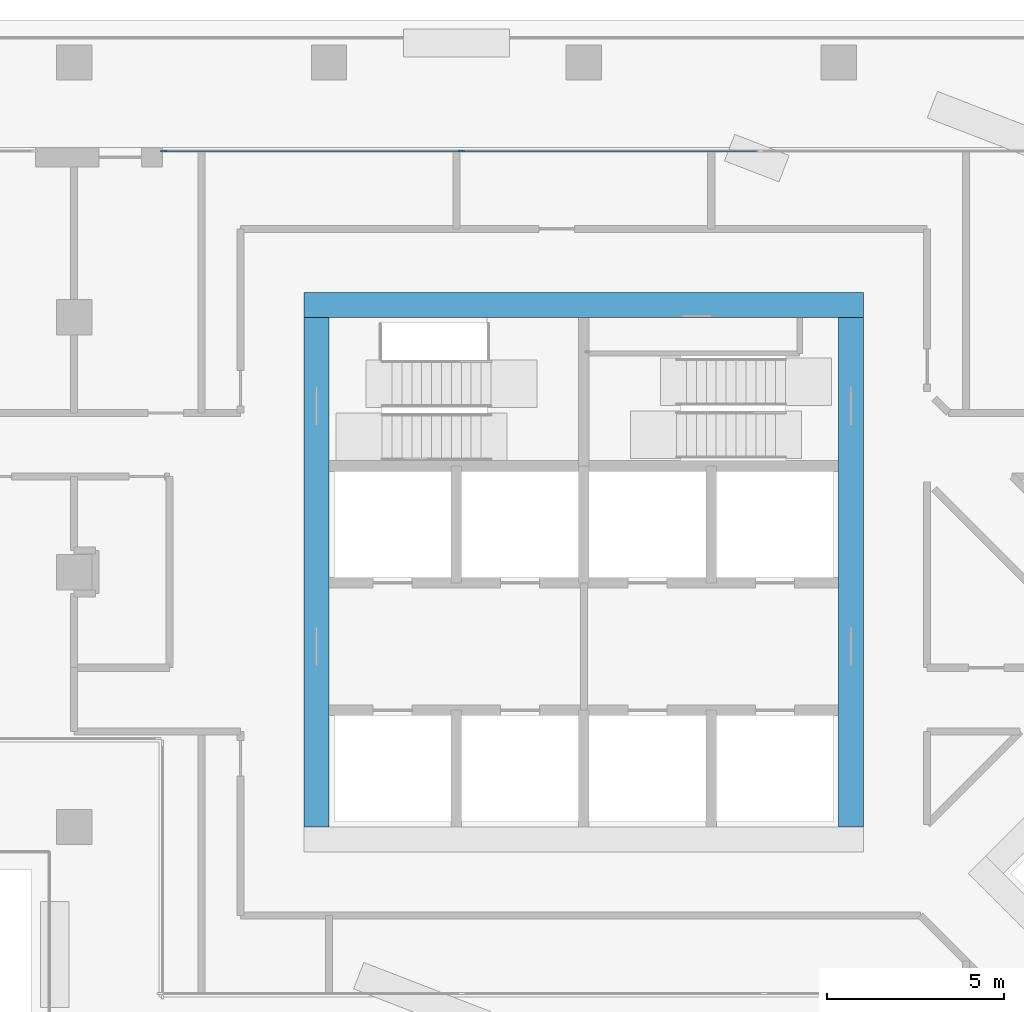
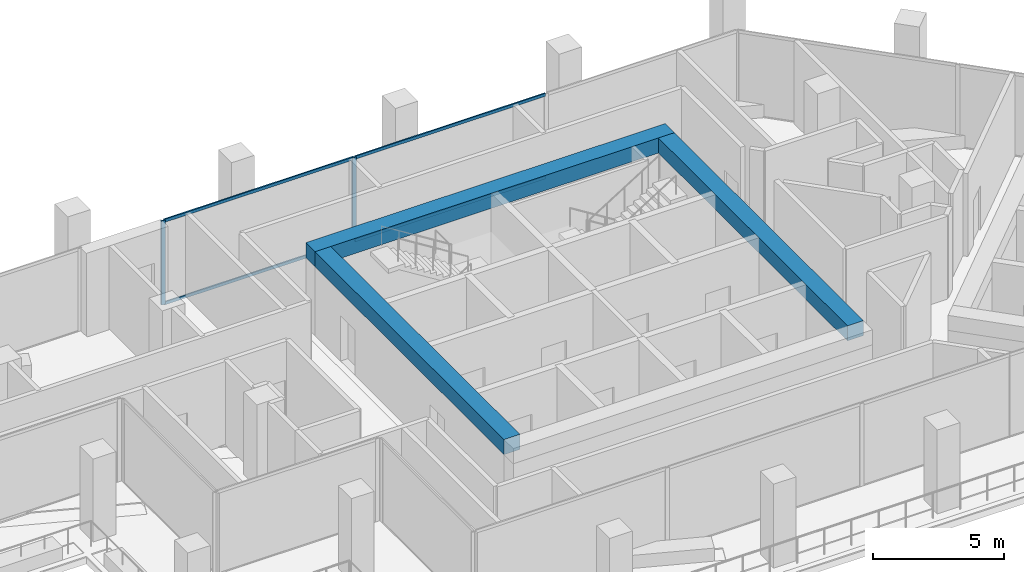
# One storey, part 6 of 21: 6 members, 3 beams, 1 element without a shape of its own.
"""IFC4 building model written with IfcOpenShell, lengths in metres."""

from ifc_helpers import new_model, si_unit, direction, frame, origin, origin_2d, place, context, subcontext, project, spatial, rectangle, extrude, material, material_profile, profile_set, type_object, element, aggregate, save


model = new_model("IFC4")

# Units and contexts
model_context = context("Model", 3, precision=1e-05, world=origin(), true_north=direction((0.0, 1.0)))
body_context = subcontext(model_context, "Body", "Model", "MODEL_VIEW")
ifc_project = project(units=[si_unit("LENGTHUNIT", "METRE"), si_unit("AREAUNIT", "SQUARE_METRE"), si_unit("VOLUMEUNIT", "CUBIC_METRE"), si_unit("PLANEANGLEUNIT", "RADIAN"), si_unit("MASSUNIT", "GRAM", prefix="KILO")], contexts=[model_context])

# Site, building, storey
site_placement = place(None, origin())
site = spatial("IfcSite", under=ifc_project, at=site_placement, CompositionType="ELEMENT")
building_placement = place(site_placement, origin())
building = spatial("IfcBuilding", under=site, at=building_placement, Name="Windrow Commons", CompositionType="ELEMENT")
storey_placement = place(building_placement, frame((0.0, 0.0, 131.2)))
storey = spatial("IfcBuildingStorey", under=building, at=storey_placement, Name="L35", CompositionType="ELEMENT", Elevation=131.2)

# Curtain wall, members
ifc_material_1 = material(Name="Clear laminated glass in Aluminium 6063-T6 anodised frame", Category="aluminium")
curtain_wall_type = type_object("IfcCurtainWallType", Name="Curtain wall CW2M sky lounge mid", PredefinedType="USERDEFINED", material=ifc_material_1)
curtain_wall_placement = place(storey_placement, origin())
curtain_wall = element("IfcCurtainWall", 1, at=curtain_wall_placement, inside=storey, type_object=curtain_wall_type, Name="Curtain wall CW2M L35 4.1", ObjectType="UNITISED", PredefinedType="USERDEFINED")
ifc_material_2 = material(Name="Aluminium 6063-T6", Category="aluminium")
ifc_material_profile_1 = material_profile(ifc_material_2, rectangle(XDim=0.06, YDim=0.18, at=origin_2d()))
ifc_profile_set_1 = profile_set([ifc_material_profile_1], Name="Aluminium 6063-T6")
member_type_1 = type_object("IfcMemberType", Name="CW2M mullion 60x180", PredefinedType="MULLION", material=ifc_profile_set_1)
member_1_placement = place(storey_placement, frame((61.3372, 69.5, 0.0), z_axis=(0.0, 0.0, 1.0), x_axis=(0.0, -1.0, 0.0)))
member_1 = element("IfcMember", 2, at=member_1_placement, type_object=member_type_1, Name="CW2M mullion 3", PredefinedType="MULLION", context=body_context, shape_type="SweptSolid", body=[
    extrude(rectangle(XDim=0.06, YDim=0.18, at=origin_2d()), origin(), (0.0, 0.0, 1.0), 3.9),
])
member_2_placement = place(storey_placement, frame((52.9329, 69.5, 0.0), z_axis=(0.0, 0.0, 1.0), x_axis=(0.0, -1.0, 0.0)))
member_2 = element("IfcMember", 3, at=member_2_placement, type_object=member_type_1, Name="CW2M mullion 4", PredefinedType="MULLION", context=body_context, shape_type="SweptSolid", body=[
    extrude(rectangle(XDim=0.06, YDim=0.18, at=origin_2d()), origin(), (0.0, 0.0, 1.0), 3.9),
])
ifc_material_3 = material(Name="Aluminium 6063-T6", Category="aluminium")
ifc_material_profile_2 = material_profile(ifc_material_3, rectangle(XDim=0.06, YDim=0.14, at=origin_2d()))
ifc_profile_set_2 = profile_set([ifc_material_profile_2], Name="Aluminium 6063-T6")
member_type_2 = type_object("IfcMemberType", Name="CW2M transom 60x140", PredefinedType="USERDEFINED", material=ifc_profile_set_2)
member_3_placement = place(storey_placement, frame((69.7416, 69.5, 0.03), z_axis=(-1.0, 0.0, 0.0), x_axis=(0.0, -1.0, 0.0)))
member_3 = element("IfcMember", 4, at=member_3_placement, type_object=member_type_2, Name="CW2M transom 2.1", ObjectType="TRANSOM", PredefinedType="USERDEFINED", context=body_context, shape_type="SweptSolid", body=[
    extrude(rectangle(XDim=0.06, YDim=0.14, at=origin_2d()), origin(), (0.0, 0.0, 1.0), 8.3744),
])
member_4_placement = place(storey_placement, frame((69.7416, 69.5, 3.87), z_axis=(-1.0, 0.0, 0.0), x_axis=(0.0, -1.0, 0.0)))
member_4 = element("IfcMember", 5, at=member_4_placement, type_object=member_type_2, Name="CW2M transom 2.2", ObjectType="TRANSOM", PredefinedType="USERDEFINED", context=body_context, shape_type="SweptSolid", body=[
    extrude(rectangle(XDim=0.06, YDim=0.14, at=origin_2d()), origin(), (0.0, 0.0, 1.0), 8.3744),
])
member_5_placement = place(storey_placement, frame((61.3072, 69.5, 0.03), z_axis=(-1.0, 0.0, 0.0), x_axis=(0.0, -1.0, 0.0)))
member_5 = element("IfcMember", 6, at=member_5_placement, type_object=member_type_2, Name="CW2M transom 3.1", ObjectType="TRANSOM", PredefinedType="USERDEFINED", context=body_context, shape_type="SweptSolid", body=[
    extrude(rectangle(XDim=0.06, YDim=0.14, at=origin_2d()), origin(), (0.0, 0.0, 1.0), 8.3443),
])
member_6_placement = place(storey_placement, frame((61.3072, 69.5, 3.87), z_axis=(-1.0, 0.0, 0.0), x_axis=(0.0, -1.0, 0.0)))
member_6 = element("IfcMember", 7, at=member_6_placement, type_object=member_type_2, Name="CW2M transom 3.2", ObjectType="TRANSOM", PredefinedType="USERDEFINED", context=body_context, shape_type="SweptSolid", body=[
    extrude(rectangle(XDim=0.06, YDim=0.14, at=origin_2d()), origin(), (0.0, 0.0, 1.0), 8.3443),
])
aggregate(curtain_wall, [member_1, member_2, member_3, member_4, member_5, member_6])

# Beams
ifc_material_4 = material(Name="Concrete C50/60", Category="concrete")
ifc_material_profile_3 = material_profile(ifc_material_4, rectangle(XDim=0.7, YDim=0.7, at=origin_2d()))
ifc_profile_set_3 = profile_set([ifc_material_profile_3], Name="Concrete C50/60")
beam_type = type_object("IfcBeamType", Name="RC COUPLING BEAM 700x700 C50/60", PredefinedType="LINTEL", material=ifc_profile_set_3)
beam_placement = place(storey_placement, frame((56.9, 65.15, 3.55), z_axis=(1.0, 0.0, 0.0), x_axis=(0.0, 1.0, 0.0)))
element("IfcBeam", 8, at=beam_placement, inside=storey, type_object=beam_type, Name="Core A coupling beam outer-N", PredefinedType="LINTEL", context=body_context, shape_type="SweptSolid", body=[
    extrude(rectangle(XDim=0.7, YDim=0.7, at=origin_2d()), origin(), (0.0, 0.0, 1.0), 15.8),
])
for number, where, z_axis, x_axis, name in (
    (9, (57.25, 50.4, 3.55), (0.0, 1.0, 0.0), (-1.0, 0.0, 0.0), "Core A coupling beam outer-W"),
    (10, (72.35, 50.4, 3.55), (0.0, 1.0, 0.0), (-1.0, 0.0, 0.0), "Core A coupling beam outer-E"),
):
    element("IfcBeam", number, at=place(storey_placement, frame(where, z_axis=z_axis, x_axis=x_axis)), inside=storey, type_object=beam_type, Name=name, PredefinedType="LINTEL", context=body_context, shape_type="SweptSolid", body=[
        extrude(rectangle(XDim=0.7, YDim=0.7, at=origin_2d()), origin(), (0.0, 0.0, 1.0), 14.4),
    ])

save(model, "model.ifc")
